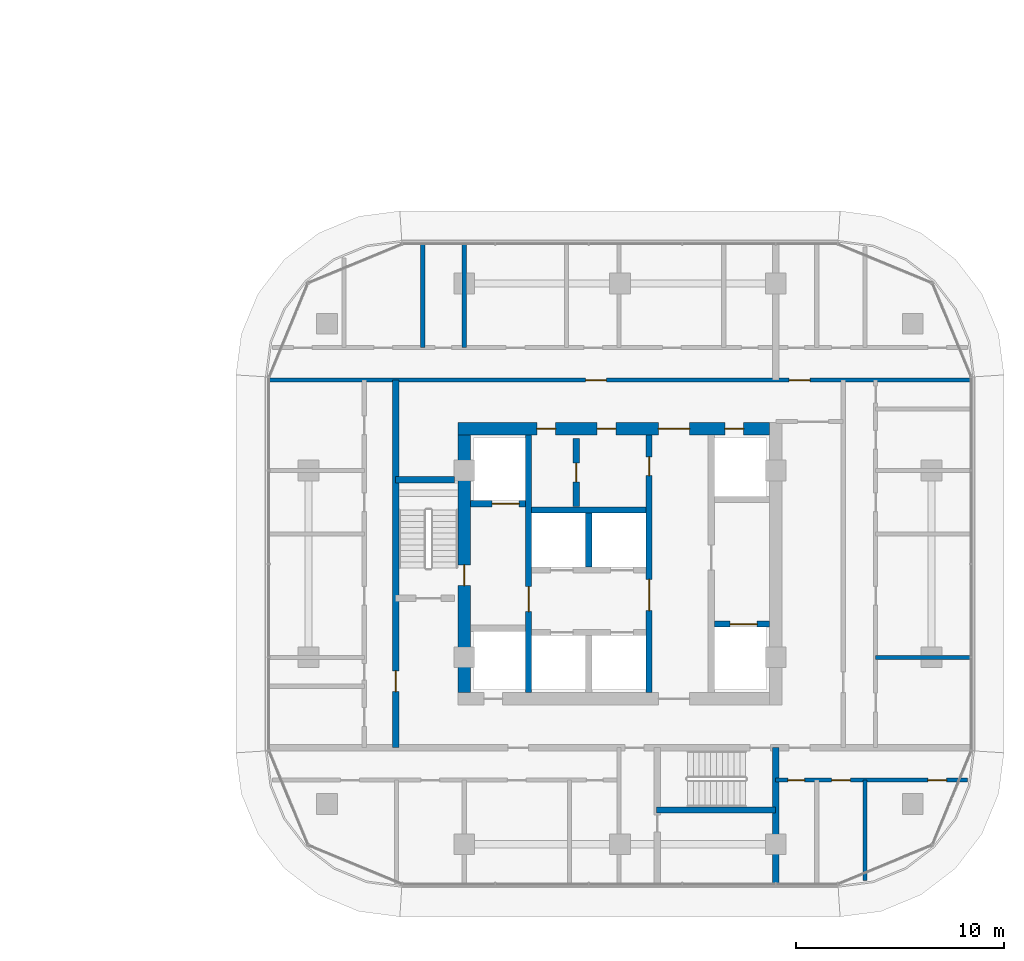
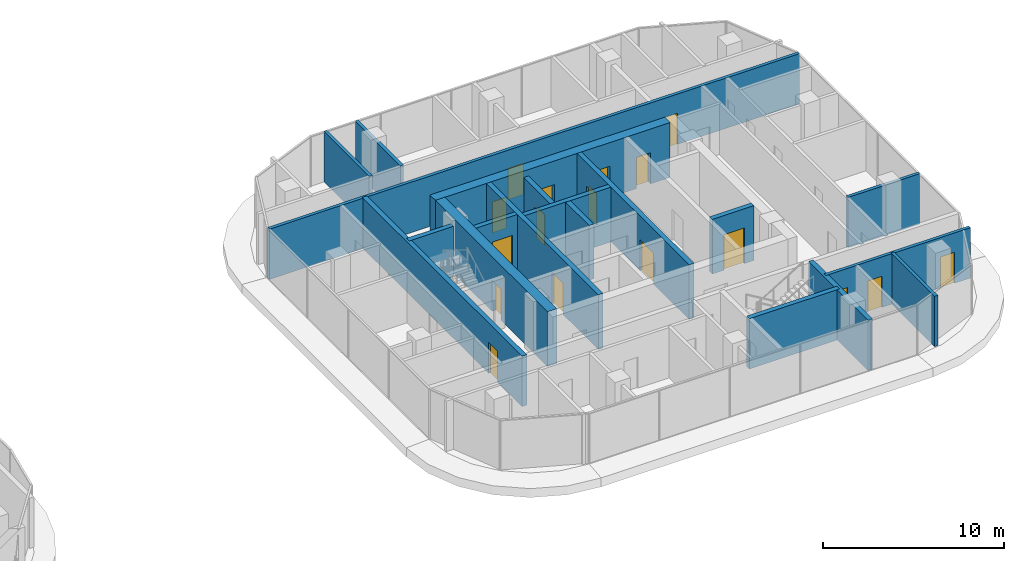
# One storey, part 23 of 36: 19 walls, 17 doors, 17 openings.
"""IFC4 building model written with IfcOpenShell, lengths in metres."""

from ifc_helpers import new_model, si_unit, direction, frame, frame_2d, origin, place, context, subcontext, project, spatial, rectangle, extrude, material, layer, layer_set, type_object, element, fill, save


model = new_model("IFC4")

# Units and contexts
model_context = context("Model", 3, precision=1e-05, world=origin(), true_north=direction((0.0, 1.0)))
body_context = subcontext(model_context, "Body", "Model", "MODEL_VIEW")
ifc_project = project(units=[si_unit("LENGTHUNIT", "METRE"), si_unit("AREAUNIT", "SQUARE_METRE"), si_unit("VOLUMEUNIT", "CUBIC_METRE"), si_unit("PLANEANGLEUNIT", "RADIAN"), si_unit("MASSUNIT", "GRAM", prefix="KILO")], contexts=[model_context])

# Site, building, storey
site_placement = place(None, origin())
site = spatial("IfcSite", under=ifc_project, at=site_placement, CompositionType="ELEMENT")
building_placement = place(site_placement, origin())
building = spatial("IfcBuilding", under=site, at=building_placement, Name="Ogive Portal Towers", CompositionType="ELEMENT")
storey_placement = place(building_placement, frame((0.0, 0.0, 52.0)))
storey = spatial("IfcBuildingStorey", under=building, at=storey_placement, Name="L11", CompositionType="ELEMENT", Elevation=52.0)

# Wall, opening, door
ifc_material_1 = material(Name="Concrete C60/75", Category="concrete")
ifc_layer_1 = layer(ifc_material_1, 0.300048828125)
ifc_layer_set_1 = layer_set([ifc_layer_1], Name="CORE WALL 300 C60")
wall_type_1 = type_object("IfcWallType", Name="CORE WALL 300 C60", PredefinedType="SHEAR", material=ifc_layer_set_1)
wall_1_placement = place(storey_placement, frame((132.10009765625, 24.800048828125, 0.0), z_axis=(0.0, 0.0, 1.0), x_axis=(0.0, 1.0, 0.0)))
wall_1 = element("IfcWall", 1, at=wall_1_placement, inside=storey, type_object=wall_type_1, Name="Tower B core wall BX1 L11", PredefinedType="SHEAR", context=body_context, shape_type="SweptSolid", body=[
    extrude(rectangle(XDim=12.39990234375, YDim=0.300048828125, at=frame_2d((6.199951171875, 0.0))), origin(), (0.0, 0.0, 1.0), 3.699951171875),
])
opening_1_placement = place(wall_1_placement, frame((3.89990234375, 0.0, 0.0)))
opening_1 = element("IfcOpeningElement", 2, at=opening_1_placement, cuts=wall_1, Name="Opening B03-041", PredefinedType="OPENING", context=body_context, shape_type="SweptSolid", body=[
    extrude(rectangle(XDim=1.199951171875, YDim=2.10009765625, at=frame_2d((0.60009765625, 1.050048828125))), frame((0.0, 0.16015625, 0.0), z_axis=(0.0, -1.0, 0.0), x_axis=(1.0, 0.0, 0.0)), (0.0, 0.0, 1.0), 0.320068359375),
])
ifc_material_2 = material(Name="Steel fire door", Category="steel")
door_type_1 = type_object("IfcDoorType", Name="DT-SWING-1200x2100-FD90S", OperationType="SINGLE_SWING_LEFT", PredefinedType="DOOR", material=ifc_material_2)
door_1_placement = place(opening_1_placement, origin())
door_1 = element("IfcDoor", 3, at=door_1_placement, inside=storey, type_object=door_type_1, Name="Door B03-041", OperationType="SINGLE_SWING_LEFT", OverallHeight=2.10009765625, OverallWidth=1.199951171875, PredefinedType="DOOR", context=body_context, shape_type="SweptSolid", body=[
    extrude(rectangle(XDim=1.199951171875, YDim=2.10009765625, at=frame_2d((0.60009765625, 1.050048828125))), frame((0.0, 0.02490234375, 0.0), z_axis=(0.0, -1.0, 0.0), x_axis=(1.0, 0.0, 0.0)), (0.0, 0.0, 1.0), 0.050048828125),
])
fill(opening_1, door_1)

# Wall, openings, doors
wall_2_placement = place(storey_placement, frame((137.89990234375, 24.800048828125, 0.0), z_axis=(0.0, 0.0, 1.0), x_axis=(0.0, 1.0, 0.0)))
wall_2 = element("IfcWall", 4, at=wall_2_placement, inside=storey, type_object=wall_type_1, Name="Tower B core wall BX2 L11", PredefinedType="SHEAR", context=body_context, shape_type="SweptSolid", body=[
    extrude(rectangle(XDim=12.39990234375, YDim=0.300048828125, at=frame_2d((6.199951171875, 0.0))), origin(), (0.0, 0.0, 1.0), 3.699951171875),
])
opening_2_placement = place(wall_2_placement, frame((3.949951171875, 0.0, 0.0)))
opening_2 = element("IfcOpeningElement", 5, at=opening_2_placement, cuts=wall_2, Name="Opening B03-040", PredefinedType="OPENING", context=body_context, shape_type="SweptSolid", body=[
    extrude(rectangle(XDim=1.5, YDim=2.10009765625, at=frame_2d((0.75, 1.050048828125))), frame((0.0, 0.16015625, 0.0), z_axis=(0.0, -1.0, 0.0), x_axis=(1.0, 0.0, 0.0)), (0.0, 0.0, 1.0), 0.320068359375),
])
opening_3_placement = place(wall_2_placement, frame((10.449951171875, 0.0, 0.0)))
opening_3 = element("IfcOpeningElement", 6, at=opening_3_placement, cuts=wall_2, Name="Opening B03-056", PredefinedType="OPENING", context=body_context, shape_type="SweptSolid", body=[
    extrude(rectangle(XDim=0.89990234375, YDim=2.10009765625, at=frame_2d((0.449951171875, 1.050048828125))), frame((0.0, 0.16015625, 0.0), z_axis=(0.0, -1.0, 0.0), x_axis=(1.0, 0.0, 0.0)), (0.0, 0.0, 1.0), 0.320068359375),
])
door_type_2 = type_object("IfcDoorType", Name="DT-SWING-1500x2100-FD90S", OperationType="SINGLE_SWING_LEFT", PredefinedType="DOOR", material=ifc_material_2)
door_2_placement = place(opening_2_placement, origin())
door_2 = element("IfcDoor", 7, at=door_2_placement, inside=storey, type_object=door_type_2, Name="Door B03-040", OperationType="SINGLE_SWING_RIGHT", OverallHeight=2.10009765625, OverallWidth=1.5, PredefinedType="DOOR", context=body_context, shape_type="SweptSolid", body=[
    extrude(rectangle(XDim=1.5, YDim=2.10009765625, at=frame_2d((0.75, 1.050048828125))), frame((0.0, 0.02490234375, 0.0), z_axis=(0.0, -1.0, 0.0), x_axis=(1.0, 0.0, 0.0)), (0.0, 0.0, 1.0), 0.050048828125),
])
fill(opening_2, door_2)
door_type_3 = type_object("IfcDoorType", Name="DT-SWING-900x2100-FD90S", OperationType="SINGLE_SWING_LEFT", PredefinedType="DOOR", material=ifc_material_2)
door_3_placement = place(opening_3_placement, origin())
door_3 = element("IfcDoor", 8, at=door_3_placement, inside=storey, type_object=door_type_3, Name="Riser access door B03-056", OperationType="SINGLE_SWING_RIGHT", OverallHeight=2.10009765625, OverallWidth=0.89990234375, PredefinedType="DOOR", context=body_context, shape_type="SweptSolid", body=[
    extrude(rectangle(XDim=0.89990234375, YDim=2.10009765625, at=frame_2d((0.449951171875, 1.050048828125))), frame((0.0, 0.02490234375, 0.0), z_axis=(0.0, -1.0, 0.0), x_axis=(1.0, 0.0, 0.0)), (0.0, 0.0, 1.0), 0.050048828125),
])
fill(opening_3, door_3)

# Walls
wall_3_placement = place(storey_placement, frame((135.0, 30.85009765625, 0.0), z_axis=(0.0, 0.0, 1.0), x_axis=(0.0, 1.0, 0.0)))
element("IfcWall", 9, at=wall_3_placement, inside=storey, type_object=wall_type_1, Name="Tower B core wall BX5 L11", PredefinedType="SHEAR", context=body_context, shape_type="SweptSolid", body=[
    extrude(rectangle(XDim=2.599853515625, YDim=0.300048828125, at=frame_2d((1.2998046875, 0.0))), origin(), (0.0, 0.0, 1.0), 3.699951171875),
])
wall_4_placement = place(storey_placement, frame((132.25, 33.60009765625, 0.0), z_axis=(0.0, 0.0, 1.0), x_axis=(1.0, 0.0, 0.0)))
element("IfcWall", 10, at=wall_4_placement, inside=storey, type_object=wall_type_1, Name="Tower B core wall BY3 L11", PredefinedType="SHEAR", context=body_context, shape_type="SweptSolid", body=[
    extrude(rectangle(XDim=5.5, YDim=0.300048828125, at=frame_2d((2.75, 0.0))), origin(), (0.0, 0.0, 1.0), 3.699951171875),
])

# Wall, opening, door
wall_5_placement = place(storey_placement, frame((129.300048828125, 33.89990234375, 0.0), z_axis=(0.0, 0.0, 1.0), x_axis=(1.0, 0.0, 0.0)))
wall_5 = element("IfcWall", 11, at=wall_5_placement, inside=storey, type_object=wall_type_1, Name="Tower B core wall BY5 L11", PredefinedType="SHEAR", context=body_context, shape_type="SweptSolid", body=[
    extrude(rectangle(XDim=2.64990234375, YDim=0.300048828125, at=frame_2d((1.324951171875, 0.0))), origin(), (0.0, 0.0, 1.0), 3.699951171875),
])
opening_4_placement = place(wall_5_placement, frame((1.050048828125, 0.0, 0.0)))
opening_4 = element("IfcOpeningElement", 12, at=opening_4_placement, cuts=wall_5, Name="Opening B03-052", PredefinedType="OPENING", context=body_context, shape_type="SweptSolid", body=[
    extrude(rectangle(XDim=1.300048828125, YDim=2.39990234375, at=frame_2d((0.64990234375, 1.199951171875))), frame((0.0, 0.16015625, 0.0), z_axis=(0.0, -1.0, 0.0), x_axis=(1.0, 0.0, 0.0)), (0.0, 0.0, 1.0), 0.320068359375),
])
ifc_material_3 = material(Name="Stainless steel", Category="steel")
door_type_4 = type_object("IfcDoorType", Name="DT-LD-1300x2400", OperationType="SLIDING_TO_LEFT", PredefinedType="DOOR", material=ifc_material_3)
door_4_placement = place(opening_4_placement, origin())
door_4 = element("IfcDoor", 13, at=door_4_placement, inside=storey, type_object=door_type_4, Name="Door B03-052", OperationType="SLIDING_TO_LEFT", OverallHeight=2.39990234375, OverallWidth=1.300048828125, PredefinedType="DOOR", context=body_context, shape_type="SweptSolid", body=[
    extrude(rectangle(XDim=1.300048828125, YDim=2.39990234375, at=frame_2d((0.64990234375, 1.199951171875))), frame((0.0, 0.02490234375, 0.0), z_axis=(0.0, -1.0, 0.0), x_axis=(1.0, 0.0, 0.0)), (0.0, 0.0, 1.0), 0.050048828125),
])
fill(opening_4, door_4)

wall_6_placement = place(storey_placement, frame((141.050048828125, 28.10009765625, 0.0), z_axis=(0.0, 0.0, 1.0), x_axis=(1.0, 0.0, 0.0)))
wall_6 = element("IfcWall", 14, at=wall_6_placement, inside=storey, type_object=wall_type_1, Name="Tower B core wall BY6 L11", PredefinedType="SHEAR", context=body_context, shape_type="SweptSolid", body=[
    extrude(rectangle(XDim=2.64990234375, YDim=0.300048828125, at=frame_2d((1.324951171875, 0.0))), origin(), (0.0, 0.0, 1.0), 3.699951171875),
])
opening_5_placement = place(wall_6_placement, frame((0.75, 0.0, 0.0)))
opening_5 = element("IfcOpeningElement", 15, at=opening_5_placement, cuts=wall_6, Name="Opening B03-053", PredefinedType="OPENING", context=body_context, shape_type="SweptSolid", body=[
    extrude(rectangle(XDim=1.300048828125, YDim=2.39990234375, at=frame_2d((0.64990234375, 1.199951171875))), frame((0.0, 0.16015625, 0.0), z_axis=(0.0, -1.0, 0.0), x_axis=(1.0, 0.0, 0.0)), (0.0, 0.0, 1.0), 0.320068359375),
])
door_5_placement = place(opening_5_placement, origin())
door_5 = element("IfcDoor", 16, at=door_5_placement, inside=storey, type_object=door_type_4, Name="Door B03-053", OperationType="SLIDING_TO_LEFT", OverallHeight=2.39990234375, OverallWidth=1.300048828125, PredefinedType="DOOR", context=body_context, shape_type="SweptSolid", body=[
    extrude(rectangle(XDim=1.300048828125, YDim=2.39990234375, at=frame_2d((0.64990234375, 1.199951171875))), frame((0.0, 0.02490234375, 0.0), z_axis=(0.0, -1.0, 0.0), x_axis=(1.0, 0.0, 0.0)), (0.0, 0.0, 1.0), 0.050048828125),
])
fill(opening_5, door_5)

ifc_layer_2 = layer(ifc_material_1, 0.60009765625)
ifc_layer_set_2 = layer_set([ifc_layer_2], Name="CORE WALL 600 C60")
wall_type_2 = type_object("IfcWallType", Name="CORE WALL 600 C60", PredefinedType="SHEAR", material=ifc_layer_set_2)
wall_7_placement = place(storey_placement, frame((129.0, 24.800048828125, 0.0), z_axis=(0.0, 0.0, 1.0), x_axis=(0.0, 1.0, 0.0)))
wall_7 = element("IfcWall", 17, at=wall_7_placement, inside=storey, type_object=wall_type_2, Name="Tower B core wall BW L11", PredefinedType="SHEAR", context=body_context, shape_type="SweptSolid", body=[
    extrude(rectangle(XDim=12.39990234375, YDim=0.60009765625, at=frame_2d((6.199951171875, 0.0))), origin(), (0.0, 0.0, 1.0), 3.699951171875),
])
opening_6_placement = place(wall_7_placement, frame((5.14990234375, 0.0, 0.0)))
opening_6 = element("IfcOpeningElement", 18, at=opening_6_placement, cuts=wall_7, Name="Opening B03-043", PredefinedType="OPENING", context=body_context, shape_type="SweptSolid", body=[
    extrude(rectangle(XDim=1.0, YDim=2.10009765625, at=frame_2d((0.5, 1.050048828125))), frame((0.0, 0.31005859375, 0.0), z_axis=(0.0, -1.0, 0.0), x_axis=(1.0, 0.0, 0.0)), (0.0, 0.0, 1.0), 0.6201171875),
])
door_type_5 = type_object("IfcDoorType", Name="DT-SWING-1000x2100-FD90S", OperationType="SINGLE_SWING_LEFT", PredefinedType="DOOR", material=ifc_material_2)
door_6_placement = place(opening_6_placement, origin())
door_6 = element("IfcDoor", 19, at=door_6_placement, inside=storey, type_object=door_type_5, Name="Door B03-043", OperationType="SINGLE_SWING_RIGHT", OverallHeight=2.10009765625, OverallWidth=1.0, PredefinedType="DOOR", context=body_context, shape_type="SweptSolid", body=[
    extrude(rectangle(XDim=1.0, YDim=2.10009765625, at=frame_2d((0.5, 1.050048828125))), frame((0.0, 0.02490234375, 0.0), z_axis=(0.0, -1.0, 0.0), x_axis=(1.0, 0.0, 0.0)), (0.0, 0.0, 1.0), 0.050048828125),
])
fill(opening_6, door_6)

# Wall, openings, doors
wall_8_placement = place(storey_placement, frame((128.699951171875, 37.5, 0.0), z_axis=(0.0, 0.0, 1.0), x_axis=(1.0, 0.0, 0.0)))
wall_8 = element("IfcWall", 20, at=wall_8_placement, inside=storey, type_object=wall_type_2, Name="Tower B core wall BN L11", PredefinedType="SHEAR", context=body_context, shape_type="SweptSolid", body=[
    extrude(rectangle(XDim=15.0, YDim=0.60009765625, at=frame_2d((7.5, 0.0))), origin(), (0.0, 0.0, 1.0), 3.699951171875),
])
opening_7_placement = place(wall_8_placement, frame((9.64990234375, 0.0, 0.0)))
opening_7 = element("IfcOpeningElement", 21, at=opening_7_placement, cuts=wall_8, Name="Opening B03-045", PredefinedType="OPENING", context=body_context, shape_type="SweptSolid", body=[
    extrude(rectangle(XDim=1.5, YDim=2.10009765625, at=frame_2d((0.75, 1.050048828125))), frame((0.0, 0.31005859375, 0.0), z_axis=(0.0, -1.0, 0.0), x_axis=(1.0, 0.0, 0.0)), (0.0, 0.0, 1.0), 0.6201171875),
])
opening_8_placement = place(wall_8_placement, frame((12.85009765625, 0.0, 0.0)))
opening_8 = element("IfcOpeningElement", 22, at=opening_8_placement, cuts=wall_8, Name="Opening B03-047", PredefinedType="OPENING", context=body_context, shape_type="SweptSolid", body=[
    extrude(rectangle(XDim=0.89990234375, YDim=2.10009765625, at=frame_2d((0.449951171875, 1.050048828125))), frame((0.0, 0.31005859375, 0.0), z_axis=(0.0, -1.0, 0.0), x_axis=(1.0, 0.0, 0.0)), (0.0, 0.0, 1.0), 0.6201171875),
])
opening_9_placement = place(wall_8_placement, frame((3.800048828125, 0.0, 0.0)))
opening_9 = element("IfcOpeningElement", 23, at=opening_9_placement, cuts=wall_8, Name="Opening B03-054", PredefinedType="OPENING", context=body_context, shape_type="SweptSolid", body=[
    extrude(rectangle(XDim=0.89990234375, YDim=2.10009765625, at=frame_2d((0.449951171875, 1.050048828125))), frame((0.0, 0.31005859375, 0.0), z_axis=(0.0, -1.0, 0.0), x_axis=(1.0, 0.0, 0.0)), (0.0, 0.0, 1.0), 0.6201171875),
])
opening_10_placement = place(wall_8_placement, frame((6.699951171875, 0.0, 0.0)))
opening_10 = element("IfcOpeningElement", 24, at=opening_10_placement, cuts=wall_8, Name="Opening B03-055", PredefinedType="OPENING", context=body_context, shape_type="SweptSolid", body=[
    extrude(rectangle(XDim=0.89990234375, YDim=2.10009765625, at=frame_2d((0.449951171875, 1.050048828125))), frame((0.0, 0.31005859375, 0.0), z_axis=(0.0, -1.0, 0.0), x_axis=(1.0, 0.0, 0.0)), (0.0, 0.0, 1.0), 0.6201171875),
])
door_7_placement = place(opening_7_placement, origin())
door_7 = element("IfcDoor", 25, at=door_7_placement, inside=storey, type_object=door_type_2, Name="Door B03-045", OperationType="SINGLE_SWING_RIGHT", OverallHeight=2.10009765625, OverallWidth=1.5, PredefinedType="DOOR", context=body_context, shape_type="SweptSolid", body=[
    extrude(rectangle(XDim=1.5, YDim=2.10009765625, at=frame_2d((0.75, 1.050048828125))), frame((0.0, 0.02490234375, 0.0), z_axis=(0.0, -1.0, 0.0), x_axis=(1.0, 0.0, 0.0)), (0.0, 0.0, 1.0), 0.050048828125),
])
fill(opening_7, door_7)
door_8_placement = place(opening_8_placement, origin())
door_8 = element("IfcDoor", 26, at=door_8_placement, inside=storey, type_object=door_type_3, Name="Riser access door B03-047", OperationType="SINGLE_SWING_RIGHT", OverallHeight=2.10009765625, OverallWidth=0.89990234375, PredefinedType="DOOR", context=body_context, shape_type="SweptSolid", body=[
    extrude(rectangle(XDim=0.89990234375, YDim=2.10009765625, at=frame_2d((0.449951171875, 1.050048828125))), frame((0.0, 0.02490234375, 0.0), z_axis=(0.0, -1.0, 0.0), x_axis=(1.0, 0.0, 0.0)), (0.0, 0.0, 1.0), 0.050048828125),
])
fill(opening_8, door_8)
door_9_placement = place(opening_9_placement, origin())
door_9 = element("IfcDoor", 27, at=door_9_placement, inside=storey, type_object=door_type_3, Name="Door B03-054", OperationType="SINGLE_SWING_LEFT", OverallHeight=2.10009765625, OverallWidth=0.89990234375, PredefinedType="DOOR", context=body_context, shape_type="SweptSolid", body=[
    extrude(rectangle(XDim=0.89990234375, YDim=2.10009765625, at=frame_2d((0.449951171875, 1.050048828125))), frame((0.0, 0.02490234375, 0.0), z_axis=(0.0, -1.0, 0.0), x_axis=(1.0, 0.0, 0.0)), (0.0, 0.0, 1.0), 0.050048828125),
])
fill(opening_9, door_9)
door_10_placement = place(opening_10_placement, origin())
door_10 = element("IfcDoor", 28, at=door_10_placement, inside=storey, type_object=door_type_3, Name="Riser access door B03-055", OperationType="SINGLE_SWING_RIGHT", OverallHeight=2.10009765625, OverallWidth=0.89990234375, PredefinedType="DOOR", context=body_context, shape_type="SweptSolid", body=[
    extrude(rectangle(XDim=0.89990234375, YDim=2.10009765625, at=frame_2d((0.449951171875, 1.050048828125))), frame((0.0, 0.02490234375, 0.0), z_axis=(0.0, -1.0, 0.0), x_axis=(1.0, 0.0, 0.0)), (0.0, 0.0, 1.0), 0.050048828125),
])
fill(opening_10, door_10)

# Walls
ifc_material_4 = material(Name="Concrete C50/60", Category="concrete")
ifc_layer_3 = layer(ifc_material_4, 0.300048828125)
ifc_layer_set_3 = layer_set([ifc_layer_3], Name="STAIR WALL 300 C50")
wall_type_3 = type_object("IfcWallType", Name="STAIR WALL 300 C50", PredefinedType="SHEAR", material=ifc_layer_set_3)
wall_9_placement = place(storey_placement, frame((138.25, 19.14990234375, 0.0), z_axis=(0.0, 0.0, 1.0), x_axis=(1.0, 0.0, 0.0)))
element("IfcWall", 29, at=wall_9_placement, inside=storey, type_object=wall_type_3, Name="Stair wall ST-B2 L11", PredefinedType="SHEAR", context=body_context, shape_type="SweptSolid", body=[
    extrude(rectangle(XDim=5.75, YDim=0.300048828125, at=frame_2d((2.875, 0.0))), origin(), (0.0, 0.0, 1.0), 3.39990234375),
])
wall_10_placement = place(storey_placement, frame((125.699951171875, 35.050048828125, 0.0), z_axis=(0.0, 0.0, 1.0), x_axis=(1.0, 0.0, 0.0)))
element("IfcWall", 30, at=wall_10_placement, inside=storey, type_object=wall_type_3, Name="Stair wall ST-B1 L11", PredefinedType="SHEAR", context=body_context, shape_type="SweptSolid", body=[
    extrude(rectangle(XDim=2.830078125, YDim=0.300048828125, at=frame_2d((1.4150390625, 0.0))), origin(), (0.0, 0.0, 1.0), 3.39990234375),
])

# Wall, opening, door
wall_11_placement = place(storey_placement, frame((125.699951171875, 22.14990234375, 0.0), z_axis=(0.0, 0.0, 1.0), x_axis=(0.0, 1.0, 0.0)))
wall_11 = element("IfcWall", 31, at=wall_11_placement, inside=storey, type_object=wall_type_3, Name="Stair wall ST-B1 L11", PredefinedType="SHEAR", context=body_context, shape_type="SweptSolid", body=[
    extrude(rectangle(XDim=17.7001953125, YDim=0.300048828125, at=frame_2d((8.85009765625, 0.0))), origin(), (0.0, 0.0, 1.0), 3.39990234375),
])
opening_11_placement = place(wall_11_placement, frame((2.699951171875, 0.0, 0.0)))
opening_11 = element("IfcOpeningElement", 32, at=opening_11_placement, cuts=wall_11, Name="Opening B03-028", PredefinedType="OPENING", context=body_context, shape_type="SweptSolid", body=[
    extrude(rectangle(XDim=1.0, YDim=2.10009765625, at=frame_2d((0.5, 1.050048828125))), frame((0.0, 0.16015625, 0.0), z_axis=(0.0, -1.0, 0.0), x_axis=(1.0, 0.0, 0.0)), (0.0, 0.0, 1.0), 0.320068359375),
])
door_11_placement = place(opening_11_placement, origin())
door_11 = element("IfcDoor", 33, at=door_11_placement, inside=storey, type_object=door_type_5, Name="Door B03-028", OperationType="SINGLE_SWING_RIGHT", OverallHeight=2.10009765625, OverallWidth=1.0, PredefinedType="DOOR", context=body_context, shape_type="SweptSolid", body=[
    extrude(rectangle(XDim=1.0, YDim=2.10009765625, at=frame_2d((0.5, 1.050048828125))), frame((0.0, 0.02490234375, 0.0), z_axis=(0.0, -1.0, 0.0), x_axis=(1.0, 0.0, 0.0)), (0.0, 0.0, 1.0), 0.050048828125),
])
fill(opening_11, door_11)

# Wall
wall_12_placement = place(storey_placement, frame((144.0, 15.580078125, 0.0), z_axis=(0.0, 0.0, 1.0), x_axis=(0.0, 1.0, 0.0)))
element("IfcWall", 34, at=wall_12_placement, inside=storey, type_object=wall_type_3, Name="Stair wall ST-B2 L11", PredefinedType="SHEAR", context=body_context, shape_type="SweptSolid", body=[
    extrude(rectangle(XDim=6.56982421875, YDim=0.300048828125, at=frame_2d((3.284912109375, 0.0))), origin(), (0.0, 0.0, 1.0), 3.39990234375),
])

# Wall, openings, doors
ifc_material_5 = material(Name="Gypsum board partition on steel studs", Category="steel")
ifc_layer_4 = layer(ifc_material_5, 0.199951171875)
ifc_layer_set_4 = layer_set([ifc_layer_4], Name="WT-PART-200-EI 60")
wall_type_4 = type_object("IfcWallType", Name="WT-PART-200-EI 60", PredefinedType="PARTITIONING", material=ifc_layer_set_4)
wall_13_placement = place(storey_placement, frame((144.0, 20.590087890625, 0.0), z_axis=(0.0, 0.0, 1.0), x_axis=(1.0, 0.0, 0.0)))
wall_13 = element("IfcWall", 35, at=wall_13_placement, inside=storey, type_object=wall_type_4, Name="Wall L11:w003", PredefinedType="PARTITIONING", context=body_context, shape_type="SweptSolid", body=[
    extrude(rectangle(XDim=9.23388671875, YDim=0.199951171875, at=frame_2d((4.616943359375, 0.0))), origin(), (0.0, 0.0, 1.0), 3.39990234375),
])
opening_12_placement = place(wall_13_placement, frame((0.5869140625, 0.0, 0.0)))
opening_12 = element("IfcOpeningElement", 36, at=opening_12_placement, cuts=wall_13, Name="Opening B03-023", PredefinedType="OPENING", context=body_context, shape_type="SweptSolid", body=[
    extrude(rectangle(XDim=0.800048828125, YDim=2.10009765625, at=frame_2d((0.39990234375, 1.050048828125))), frame((0.0, 0.10986328125, 0.0), z_axis=(0.0, -1.0, 0.0), x_axis=(1.0, 0.0, 0.0)), (0.0, 0.0, 1.0), 0.219970703125),
])
opening_13_placement = place(wall_13_placement, frame((2.68896484375, 0.0, 0.0)))
opening_13 = element("IfcOpeningElement", 37, at=opening_13_placement, cuts=wall_13, Name="Opening B03-024", PredefinedType="OPENING", context=body_context, shape_type="SweptSolid", body=[
    extrude(rectangle(XDim=0.89990234375, YDim=2.10009765625, at=frame_2d((0.449951171875, 1.050048828125))), frame((0.0, 0.10986328125, 0.0), z_axis=(0.0, -1.0, 0.0), x_axis=(1.0, 0.0, 0.0)), (0.0, 0.0, 1.0), 0.219970703125),
])
opening_14_placement = place(wall_13_placement, frame((7.322021484375, 0.0, 0.0)))
opening_14 = element("IfcOpeningElement", 38, at=opening_14_placement, cuts=wall_13, Name="Opening B03-025", PredefinedType="OPENING", context=body_context, shape_type="SweptSolid", body=[
    extrude(rectangle(XDim=0.89990234375, YDim=2.10009765625, at=frame_2d((0.449951171875, 1.050048828125))), frame((0.0, 0.10986328125, 0.0), z_axis=(0.0, -1.0, 0.0), x_axis=(1.0, 0.0, 0.0)), (0.0, 0.0, 1.0), 0.219970703125),
])
door_type_6 = type_object("IfcDoorType", Name="DT-SWING-800x2100-FD60S", OperationType="SINGLE_SWING_LEFT", PredefinedType="DOOR", material=ifc_material_2)
door_12_placement = place(opening_12_placement, origin())
door_12 = element("IfcDoor", 39, at=door_12_placement, inside=storey, type_object=door_type_6, Name="Door B03-023", OperationType="SINGLE_SWING_LEFT", OverallHeight=2.10009765625, OverallWidth=0.800048828125, PredefinedType="DOOR", context=body_context, shape_type="SweptSolid", body=[
    extrude(rectangle(XDim=0.800048828125, YDim=2.10009765625, at=frame_2d((0.39990234375, 1.050048828125))), frame((0.0, 0.02490234375, 0.0), z_axis=(0.0, -1.0, 0.0), x_axis=(1.0, 0.0, 0.0)), (0.0, 0.0, 1.0), 0.050048828125),
])
fill(opening_12, door_12)
door_type_7 = type_object("IfcDoorType", Name="DT-SWING-900x2100-FD60S", OperationType="SINGLE_SWING_LEFT", PredefinedType="DOOR", material=ifc_material_2)
door_13_placement = place(opening_13_placement, origin())
door_13 = element("IfcDoor", 40, at=door_13_placement, inside=storey, type_object=door_type_7, Name="Door B03-024", OperationType="SINGLE_SWING_RIGHT", OverallHeight=2.10009765625, OverallWidth=0.89990234375, PredefinedType="DOOR", context=body_context, shape_type="SweptSolid", body=[
    extrude(rectangle(XDim=0.89990234375, YDim=2.10009765625, at=frame_2d((0.449951171875, 1.050048828125))), frame((0.0, 0.02490234375, 0.0), z_axis=(0.0, -1.0, 0.0), x_axis=(1.0, 0.0, 0.0)), (0.0, 0.0, 1.0), 0.050048828125),
])
fill(opening_13, door_13)
door_14_placement = place(opening_14_placement, origin())
door_14 = element("IfcDoor", 41, at=door_14_placement, inside=storey, type_object=door_type_7, Name="Door B03-025", OperationType="SINGLE_SWING_LEFT", OverallHeight=2.10009765625, OverallWidth=0.89990234375, PredefinedType="DOOR", context=body_context, shape_type="SweptSolid", body=[
    extrude(rectangle(XDim=0.89990234375, YDim=2.10009765625, at=frame_2d((0.449951171875, 1.050048828125))), frame((0.0, 0.02490234375, 0.0), z_axis=(0.0, -1.0, 0.0), x_axis=(1.0, 0.0, 0.0)), (0.0, 0.0, 1.0), 0.050048828125),
])
fill(opening_14, door_14)

# Wall
wall_14_placement = place(storey_placement, frame((148.81005859375, 26.5, 0.0), z_axis=(0.0, 0.0, 1.0), x_axis=(1.0, 0.0, 0.0)))
element("IfcWall", 42, at=wall_14_placement, inside=storey, type_object=wall_type_4, Name="Wall L11:w009", PredefinedType="PARTITIONING", context=body_context, shape_type="SweptSolid", body=[
    extrude(rectangle(XDim=4.60986328125, YDim=0.199951171875, at=frame_2d((2.304931640625, 0.0))), origin(), (0.0, 0.0, 1.0), 3.39990234375),
])

# Wall, openings, doors
wall_15_placement = place(storey_placement, frame((119.580078125, 39.85009765625, 0.0), z_axis=(0.0, 0.0, 1.0), x_axis=(1.0, 0.0, 0.0)))
wall_15 = element("IfcWall", 43, at=wall_15_placement, inside=storey, type_object=wall_type_4, Name="Wall L11:w019", PredefinedType="PARTITIONING", context=body_context, shape_type="SweptSolid", body=[
    extrude(rectangle(XDim=33.83984375, YDim=0.199951171875, at=frame_2d((16.919921875, 0.0))), origin(), (0.0, 0.0, 1.0), 3.39990234375),
])
opening_15_placement = place(wall_15_placement, frame((15.27001953125, 0.0, 0.0)))
opening_15 = element("IfcOpeningElement", 44, at=opening_15_placement, cuts=wall_15, Name="Opening B03-005", PredefinedType="OPENING", context=body_context, shape_type="SweptSolid", body=[
    extrude(rectangle(XDim=1.0, YDim=2.10009765625, at=frame_2d((0.5, 1.050048828125))), frame((0.0, 0.10986328125, 0.0), z_axis=(0.0, -1.0, 0.0), x_axis=(1.0, 0.0, 0.0)), (0.0, 0.0, 1.0), 0.219970703125),
])
opening_16_placement = place(wall_15_placement, frame((25.070068359375, 0.0, 0.0)))
opening_16 = element("IfcOpeningElement", 45, at=opening_16_placement, cuts=wall_15, Name="Opening B03-013", PredefinedType="OPENING", context=body_context, shape_type="SweptSolid", body=[
    extrude(rectangle(XDim=1.0, YDim=2.10009765625, at=frame_2d((0.5, 1.050048828125))), frame((0.0, 0.10986328125, 0.0), z_axis=(0.0, -1.0, 0.0), x_axis=(1.0, 0.0, 0.0)), (0.0, 0.0, 1.0), 0.219970703125),
])
door_type_8 = type_object("IfcDoorType", Name="DT-SWING-1000x2100-FD60S", OperationType="SINGLE_SWING_LEFT", PredefinedType="DOOR", material=ifc_material_2)
door_15_placement = place(opening_15_placement, origin())
door_15 = element("IfcDoor", 46, at=door_15_placement, inside=storey, type_object=door_type_8, Name="Door B03-005", OperationType="SINGLE_SWING_LEFT", OverallHeight=2.10009765625, OverallWidth=1.0, PredefinedType="DOOR", context=body_context, shape_type="SweptSolid", body=[
    extrude(rectangle(XDim=1.0, YDim=2.10009765625, at=frame_2d((0.5, 1.050048828125))), frame((0.0, 0.02490234375, 0.0), z_axis=(0.0, -1.0, 0.0), x_axis=(1.0, 0.0, 0.0)), (0.0, 0.0, 1.0), 0.050048828125),
])
fill(opening_15, door_15)
door_16_placement = place(opening_16_placement, origin())
door_16 = element("IfcDoor", 47, at=door_16_placement, inside=storey, type_object=door_type_8, Name="Door B03-013", OperationType="SINGLE_SWING_LEFT", OverallHeight=2.10009765625, OverallWidth=1.0, PredefinedType="DOOR", context=body_context, shape_type="SweptSolid", body=[
    extrude(rectangle(XDim=1.0, YDim=2.10009765625, at=frame_2d((0.5, 1.050048828125))), frame((0.0, 0.02490234375, 0.0), z_axis=(0.0, -1.0, 0.0), x_axis=(1.0, 0.0, 0.0)), (0.0, 0.0, 1.0), 0.050048828125),
])
fill(opening_16, door_16)

# Walls
for number, where, z_axis, x_axis, name in (
    (48, (127.001953125, 41.409912109375, 0.0), (0.0, 0.0, 1.0), (0.0, 1.0, 0.0), "Wall L11:w025"),
    (49, (129.0, 41.409912109375, 0.0), (0.0, 0.0, 1.0), (0.0, 1.0, 0.0), "Wall L11:w029"),
):
    element("IfcWall", number, at=place(storey_placement, frame(where, z_axis=z_axis, x_axis=x_axis)), inside=storey, type_object=wall_type_4, Name=name, PredefinedType="PARTITIONING", context=body_context, shape_type="SweptSolid", body=[
        extrude(rectangle(XDim=5.010009765625, YDim=0.199951171875, at=frame_2d((2.5048828125, 0.0))), origin(), (0.0, 0.0, 1.0), 3.39990234375),
    ])
wall_16_placement = place(storey_placement, frame((148.303955078125, 15.751953125, 0.0), z_axis=(0.0, 0.0, 1.0), x_axis=(0.0, 1.0, 0.0)))
element("IfcWall", 50, at=wall_16_placement, inside=storey, type_object=wall_type_4, Name="Wall L11:w044", PredefinedType="PARTITIONING", context=body_context, shape_type="SweptSolid", body=[
    extrude(rectangle(XDim=4.838134765625, YDim=0.199951171875, at=frame_2d((2.4189453125, 0.0))), origin(), (0.0, 0.0, 1.0), 3.39990234375),
])

# Wall, opening, door
ifc_layer_5 = layer(ifc_material_5, 0.300048828125)
ifc_layer_set_5 = layer_set([ifc_layer_5], Name="WT-PART-300-EI 60")
wall_type_5 = type_object("IfcWallType", Name="WT-PART-300-EI 60", PredefinedType="PARTITIONING", material=ifc_layer_set_5)
wall_17_placement = place(storey_placement, frame((134.39990234375, 33.77001953125, 0.0), z_axis=(0.0, 0.0, 1.0), x_axis=(0.0, 1.0, 0.0)))
wall_17 = element("IfcWall", 51, at=wall_17_placement, inside=storey, type_object=wall_type_5, Name="Wall L11:w032", PredefinedType="PARTITIONING", context=body_context, shape_type="SweptSolid", body=[
    extrude(rectangle(XDim=3.260009765625, YDim=0.300048828125, at=frame_2d((1.6298828125, 0.0))), origin(), (0.0, 0.0, 1.0), 3.39990234375),
])
opening_17_placement = place(wall_17_placement, frame((1.179931640625, 0.0, 0.0)))
opening_17 = element("IfcOpeningElement", 52, at=opening_17_placement, cuts=wall_17, Name="Opening B03-004", PredefinedType="OPENING", context=body_context, shape_type="SweptSolid", body=[
    extrude(rectangle(XDim=0.89990234375, YDim=2.10009765625, at=frame_2d((0.449951171875, 1.050048828125))), frame((0.0, 0.16015625, 0.0), z_axis=(0.0, -1.0, 0.0), x_axis=(1.0, 0.0, 0.0)), (0.0, 0.0, 1.0), 0.320068359375),
])
door_17_placement = place(opening_17_placement, origin())
door_17 = element("IfcDoor", 53, at=door_17_placement, inside=storey, type_object=door_type_7, Name="Riser access door B03-004", OperationType="SINGLE_SWING_RIGHT", OverallHeight=2.10009765625, OverallWidth=0.89990234375, PredefinedType="DOOR", context=body_context, shape_type="SweptSolid", body=[
    extrude(rectangle(XDim=0.89990234375, YDim=2.10009765625, at=frame_2d((0.449951171875, 1.050048828125))), frame((0.0, 0.02490234375, 0.0), z_axis=(0.0, -1.0, 0.0), x_axis=(1.0, 0.0, 0.0)), (0.0, 0.0, 1.0), 0.050048828125),
])
fill(opening_17, door_17)

save(model, "model.ifc")
